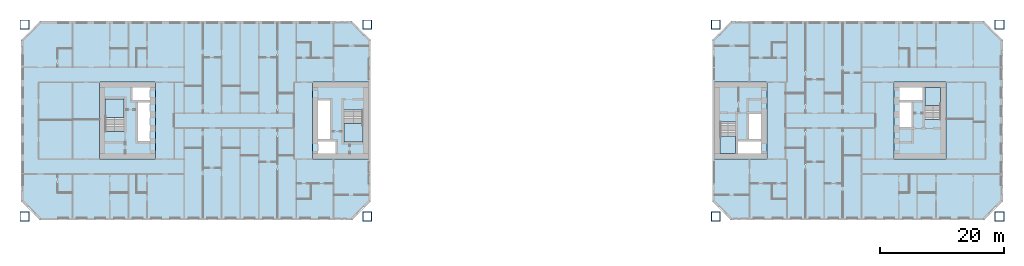
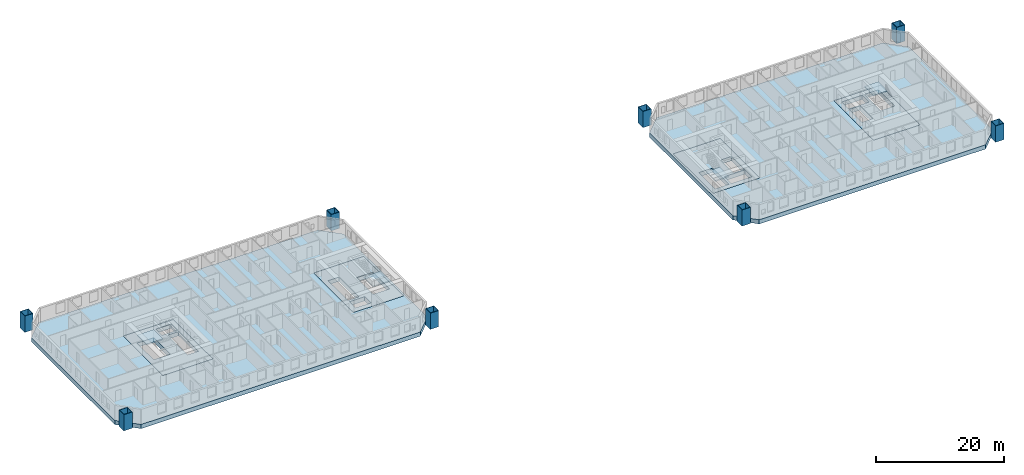
# One storey, part 1 of 16: 10 slabs, 8 columns, 4 elements without a shape of their own.
"""IFC4 building model written with IfcOpenShell, lengths in metres."""

from ifc_helpers import new_model, si_unit, direction, frame, origin, origin_2d, place, context, subcontext, project, spatial, polyline, hollow_rectangle, outline, extrude, material, layer, layer_set, material_profile, profile_set, type_object, element, aggregate, save


model = new_model("IFC4")

# Units and contexts
model_context = context("Model", 3, precision=1e-05, world=origin(), true_north=direction((0.0, 1.0)))
body_context = subcontext(model_context, "Body", "Model", "MODEL_VIEW")
ifc_project = project(units=[si_unit("LENGTHUNIT", "METRE"), si_unit("AREAUNIT", "SQUARE_METRE"), si_unit("VOLUMEUNIT", "CUBIC_METRE"), si_unit("PLANEANGLEUNIT", "RADIAN"), si_unit("MASSUNIT", "GRAM", prefix="KILO")], contexts=[model_context])

# Site, building, storey
site_placement = place(None, origin())
site = spatial("IfcSite", under=ifc_project, at=site_placement, CompositionType="ELEMENT")
building_placement = place(site_placement, origin())
building = spatial("IfcBuilding", under=site, at=building_placement, Name="Tuart Gate Housing", CompositionType="ELEMENT")
storey_placement = place(building_placement, frame((0.0, 0.0, 19.5)))
storey = spatial("IfcBuildingStorey", under=building, at=storey_placement, Name="L04", CompositionType="ELEMENT", Elevation=19.5)

# Columns
ifc_material_1 = material(Name="Steel Grade 350", Category="steel")
ifc_material_profile = material_profile(ifc_material_1, hollow_rectangle(XDim=1.5, YDim=1.5, WallThickness=0.080078125, at=origin_2d()), Name="BOX 1500x1500x80")
ifc_profile_set = profile_set([ifc_material_profile], Name="Steel Grade 350")
column_type = type_object("IfcColumnType", Name="Mega column BOX 1500x1500x80", PredefinedType="COLUMN", material=ifc_profile_set)
for number, where, z_axis, x_axis, name in (
    (1, (20.300048828125, 54.550048828125, 0.0), (0.0, 0.0, 1.0), (1.0, 0.0, 0.0), "Mega column A south-west L04"),
    (2, (75.449951171875, 54.550048828125, 0.0), (0.0, 0.0, 1.0), (1.0, 0.0, 0.0), "Mega column A south-east L04"),
    (3, (75.449951171875, 85.449951171875, 0.0), (0.0, 0.0, 1.0), (1.0, 0.0, 0.0), "Mega column A north-east L04"),
    (4, (20.300048828125, 85.449951171875, 0.0), (0.0, 0.0, 1.0), (1.0, 0.0, 0.0), "Mega column A north-west L04"),
    (5, (131.550048828125, 54.550048828125, 0.0), (0.0, 0.0, 1.0), (1.0, 0.0, 0.0), "Mega column B south-west L04"),
    (6, (177.199951171875, 54.550048828125, 0.0), (0.0, 0.0, 1.0), (1.0, 0.0, 0.0), "Mega column B south-east L04"),
    (7, (177.199951171875, 85.449951171875, 0.0), (0.0, 0.0, 1.0), (1.0, 0.0, 0.0), "Mega column B north-east L04"),
    (8, (131.550048828125, 85.449951171875, 0.0), (0.0, 0.0, 1.0), (1.0, 0.0, 0.0), "Mega column B north-west L04"),
):
    element("IfcColumn", number, at=place(storey_placement, frame(where, z_axis=z_axis, x_axis=x_axis)), inside=storey, type_object=column_type, Name=name, PredefinedType="COLUMN", context=body_context, shape_type="SweptSolid", body=[
        extrude(hollow_rectangle(XDim=1.5, YDim=1.5, WallThickness=0.080078125, at=origin_2d()), origin(), (0.0, 0.0, 1.0), 3.10009765625),
    ])

# Slabs
ifc_material_2 = material(Name="Concrete C40", Category="concrete")
ifc_layer_1 = layer(ifc_material_2, 0.800048828125)
ifc_layer_set_1 = layer_set([ifc_layer_1], Name="Core floor slab 800")
slab_type_1 = type_object("IfcSlabType", Name="Core floor slab 800", PredefinedType="FLOOR", material=ifc_layer_set_1)
slab_1_placement = place(storey_placement, frame((0.0, 0.0, -0.800048828125)))
element("IfcSlab", 9, at=slab_1_placement, inside=storey, type_object=slab_type_1, Name="Core floor AG", PredefinedType="FLOOR", context=body_context, shape_type="SweptSolid", body=[
    extrude(outline(polyline([(66.639892578125, 63.800048828125), (75.639892578125, 63.800048828125), (75.639892578125, 76.199951171875), (66.639892578125, 76.199951171875), (66.639892578125, 63.800048828125)]), holes=[polyline([(67.5400390625, 64.699951171875), (70.31005859375, 64.699951171875), (70.31005859375, 66.64990234375), (67.5400390625, 66.64990234375), (67.5400390625, 64.699951171875)]), polyline([(67.5400390625, 67.050048828125), (69.489990234375, 67.050048828125), (69.489990234375, 73.25), (67.5400390625, 73.25), (67.5400390625, 67.050048828125)]), polyline([(71.739990234375, 66.550048828125), (74.739990234375, 66.550048828125), (74.739990234375, 71.72998046875), (71.739990234375, 71.72998046875), (71.739990234375, 66.550048828125)])]), origin(), (0.0, 0.0, 1.0), 0.800048828125),
])
slab_2_placement = place(storey_placement, frame((0.0, 0.0, -0.800048828125)))
element("IfcSlab", 10, at=slab_2_placement, inside=storey, type_object=slab_type_1, Name="Core floor AK", PredefinedType="FLOOR", context=body_context, shape_type="SweptSolid", body=[
    extrude(outline(polyline([(32.360107421875, 63.800048828125), (41.360107421875, 63.800048828125), (41.360107421875, 76.199951171875), (32.360107421875, 76.199951171875), (32.360107421875, 63.800048828125)]), holes=[polyline([(40.4599609375, 75.300048828125), (37.68994140625, 75.300048828125), (37.68994140625, 73.35009765625), (40.4599609375, 73.35009765625), (40.4599609375, 75.300048828125)]), polyline([(40.4599609375, 72.949951171875), (38.510009765625, 72.949951171875), (38.510009765625, 66.75), (40.4599609375, 66.75), (40.4599609375, 72.949951171875)]), polyline([(36.260009765625, 73.449951171875), (33.260009765625, 73.449951171875), (33.260009765625, 68.27001953125), (36.260009765625, 68.27001953125), (36.260009765625, 73.449951171875)])]), origin(), (0.0, 0.0, 1.0), 0.800048828125),
])
slab_3_placement = place(storey_placement, frame((0.0, 0.0, -0.800048828125)))
element("IfcSlab", 11, at=slab_3_placement, inside=storey, type_object=slab_type_1, Name="Core floor BG", PredefinedType="FLOOR", context=body_context, shape_type="SweptSolid", body=[
    extrude(outline(polyline([(131.360107421875, 63.800048828125), (139.760009765625, 63.800048828125), (139.760009765625, 76.199951171875), (131.360107421875, 76.199951171875), (131.360107421875, 63.800048828125)]), holes=[polyline([(138.860107421875, 66.85009765625), (135.159912109375, 66.85009765625), (135.159912109375, 64.699951171875), (138.860107421875, 64.699951171875), (138.860107421875, 66.85009765625)]), polyline([(138.860107421875, 71.050048828125), (136.909912109375, 71.050048828125), (136.909912109375, 67.050048828125), (138.860107421875, 67.050048828125), (138.860107421875, 71.050048828125)]), polyline([(134.760009765625, 69.780029296875), (132.260009765625, 69.780029296875), (132.260009765625, 64.699951171875), (134.760009765625, 64.699951171875), (134.760009765625, 69.780029296875)])]), origin(), (0.0, 0.0, 1.0), 0.800048828125),
])
slab_4_placement = place(storey_placement, frame((0.0, 0.0, -0.800048828125)))
element("IfcSlab", 12, at=slab_4_placement, inside=storey, type_object=slab_type_1, Name="Core floor BK", PredefinedType="FLOOR", context=body_context, shape_type="SweptSolid", body=[
    extrude(outline(polyline([(160.239990234375, 63.800048828125), (168.639892578125, 63.800048828125), (168.639892578125, 76.199951171875), (160.239990234375, 76.199951171875), (160.239990234375, 63.800048828125)]), holes=[polyline([(161.139892578125, 73.14990234375), (164.840087890625, 73.14990234375), (164.840087890625, 75.300048828125), (161.139892578125, 75.300048828125), (161.139892578125, 73.14990234375)]), polyline([(161.139892578125, 68.949951171875), (163.090087890625, 68.949951171875), (163.090087890625, 72.949951171875), (161.139892578125, 72.949951171875), (161.139892578125, 68.949951171875)]), polyline([(165.239990234375, 70.219970703125), (167.739990234375, 70.219970703125), (167.739990234375, 75.300048828125), (165.239990234375, 75.300048828125), (165.239990234375, 70.219970703125)])]), origin(), (0.0, 0.0, 1.0), 0.800048828125),
])

# Stair, slab
ifc_material_3 = material(Name="Concrete C40", Category="concrete")
stair_type_1 = type_object("IfcStairType", Name="Core stair 1500", PredefinedType="HALF_TURN_STAIR", material=ifc_material_3)
stair_1_placement = place(storey_placement, origin())
stair_1 = element("IfcStair", 13, at=stair_1_placement, inside=storey, type_object=stair_type_1, Name="Stair SA1", PredefinedType="HALF_TURN_STAIR")
ifc_material_4 = material(Name="Concrete C40", Category="concrete")
ifc_layer_2 = layer(ifc_material_4, 0.199951171875)
ifc_layer_set_2 = layer_set([ifc_layer_2], Name="Stair landing 200")
slab_type_2 = type_object("IfcSlabType", Name="Stair landing 200", PredefinedType="LANDING", material=ifc_layer_set_2)
slab_5_placement = place(storey_placement, frame((0.0, 0.0, 1.35009765625)))
slab_5 = element("IfcSlab", 14, at=slab_5_placement, type_object=slab_type_2, Name="SA1 landing 1", PredefinedType="LANDING", context=body_context, shape_type="SweptSolid", body=[
    extrude(outline(polyline([(71.739990234375, 66.550048828125), (74.739990234375, 66.550048828125), (74.739990234375, 69.510009765625), (71.739990234375, 69.510009765625), (71.739990234375, 66.550048828125)])), origin(), (0.0, 0.0, 1.0), 0.199951171875),
])
aggregate(stair_1, [slab_5])

stair_2_placement = place(storey_placement, origin())
stair_2 = element("IfcStair", 15, at=stair_2_placement, inside=storey, type_object=stair_type_1, Name="Stair SA2", PredefinedType="HALF_TURN_STAIR")
slab_6_placement = place(storey_placement, frame((0.0, 0.0, 1.35009765625)))
slab_6 = element("IfcSlab", 16, at=slab_6_placement, type_object=slab_type_2, Name="SA2 landing 1", PredefinedType="LANDING", context=body_context, shape_type="SweptSolid", body=[
    extrude(outline(polyline([(36.260009765625, 73.449951171875), (33.260009765625, 73.449951171875), (33.260009765625, 70.489990234375), (36.260009765625, 70.489990234375), (36.260009765625, 73.449951171875)])), origin(), (0.0, 0.0, 1.0), 0.199951171875),
])
aggregate(stair_2, [slab_6])

ifc_material_5 = material(Name="Concrete C40", Category="concrete")
stair_type_2 = type_object("IfcStairType", Name="Core stair 1250", PredefinedType="HALF_TURN_STAIR", material=ifc_material_5)
stair_3_placement = place(storey_placement, origin())
stair_3 = element("IfcStair", 17, at=stair_3_placement, inside=storey, type_object=stair_type_2, Name="Stair SB1", PredefinedType="HALF_TURN_STAIR")
slab_7_placement = place(storey_placement, frame((0.0, 0.0, 1.35009765625)))
slab_7 = element("IfcSlab", 18, at=slab_7_placement, type_object=slab_type_2, Name="SB1 landing 1", PredefinedType="LANDING", context=body_context, shape_type="SweptSolid", body=[
    extrude(outline(polyline([(134.760009765625, 67.56005859375), (132.260009765625, 67.56005859375), (132.260009765625, 64.699951171875), (134.760009765625, 64.699951171875), (134.760009765625, 67.56005859375)])), origin(), (0.0, 0.0, 1.0), 0.199951171875),
])
aggregate(stair_3, [slab_7])

stair_4_placement = place(storey_placement, origin())
stair_4 = element("IfcStair", 19, at=stair_4_placement, inside=storey, type_object=stair_type_2, Name="Stair SB2", PredefinedType="HALF_TURN_STAIR")
slab_8_placement = place(storey_placement, frame((0.0, 0.0, 1.35009765625)))
slab_8 = element("IfcSlab", 20, at=slab_8_placement, type_object=slab_type_2, Name="SB2 landing 1", PredefinedType="LANDING", context=body_context, shape_type="SweptSolid", body=[
    extrude(outline(polyline([(165.239990234375, 72.43994140625), (167.739990234375, 72.43994140625), (167.739990234375, 75.300048828125), (165.239990234375, 75.300048828125), (165.239990234375, 72.43994140625)])), origin(), (0.0, 0.0, 1.0), 0.199951171875),
])
aggregate(stair_4, [slab_8])

# Slabs
ifc_material_6 = material(Name="Concrete C40", Category="concrete")
ifc_layer_3 = layer(ifc_material_6, 0.800048828125)
ifc_layer_set_3 = layer_set([ifc_layer_3], Name="Transfer plate 800")
slab_type_3 = type_object("IfcSlabType", Name="Transfer plate 800", PredefinedType="FLOOR", material=ifc_layer_set_3)
slab_9_placement = place(storey_placement, frame((0.0, 0.0, -0.800048828125)))
element("IfcSlab", 21, at=slab_9_placement, inside=storey, type_object=slab_type_3, Name="Floor slab A L04", PredefinedType="FLOOR", context=body_context, shape_type="SweptSolid", body=[
    extrude(outline(polyline([(22.75, 86.0), (19.75, 83.0), (19.75, 57.0), (22.75, 54.0), (73.0, 54.0), (76.0, 57.0), (76.0, 83.0), (73.0, 86.0), (22.75, 86.0)]), holes=[polyline([(66.639892578125, 76.199951171875), (75.639892578125, 76.199951171875), (75.639892578125, 63.800048828125), (66.639892578125, 63.800048828125), (66.639892578125, 76.199951171875)]), polyline([(41.360107421875, 76.199951171875), (41.360107421875, 63.800048828125), (32.360107421875, 63.800048828125), (32.360107421875, 76.199951171875), (41.360107421875, 76.199951171875)])]), origin(), (0.0, 0.0, 1.0), 0.800048828125),
])
slab_10_placement = place(storey_placement, frame((0.0, 0.0, -0.800048828125)))
element("IfcSlab", 22, at=slab_10_placement, inside=storey, type_object=slab_type_3, Name="Floor slab B L04", PredefinedType="FLOOR", context=body_context, shape_type="SweptSolid", body=[
    extrude(outline(polyline([(134.0, 86.0), (131.0, 83.0), (131.0, 57.0), (134.0, 54.0), (174.75, 54.0), (177.75, 57.0), (177.75, 83.0), (174.75, 86.0), (134.0, 86.0)]), holes=[polyline([(131.360107421875, 76.199951171875), (139.760009765625, 76.199951171875), (139.760009765625, 63.800048828125), (131.360107421875, 63.800048828125), (131.360107421875, 76.199951171875)]), polyline([(168.639892578125, 76.199951171875), (168.639892578125, 63.800048828125), (160.239990234375, 63.800048828125), (160.239990234375, 76.199951171875), (168.639892578125, 76.199951171875)])]), origin(), (0.0, 0.0, 1.0), 0.800048828125),
])

save(model, "model.ifc")
